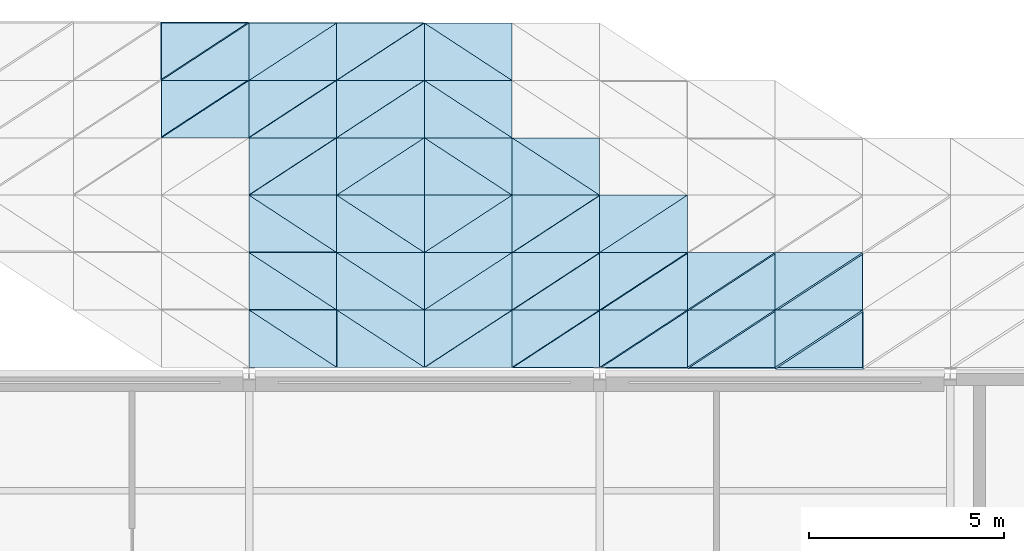
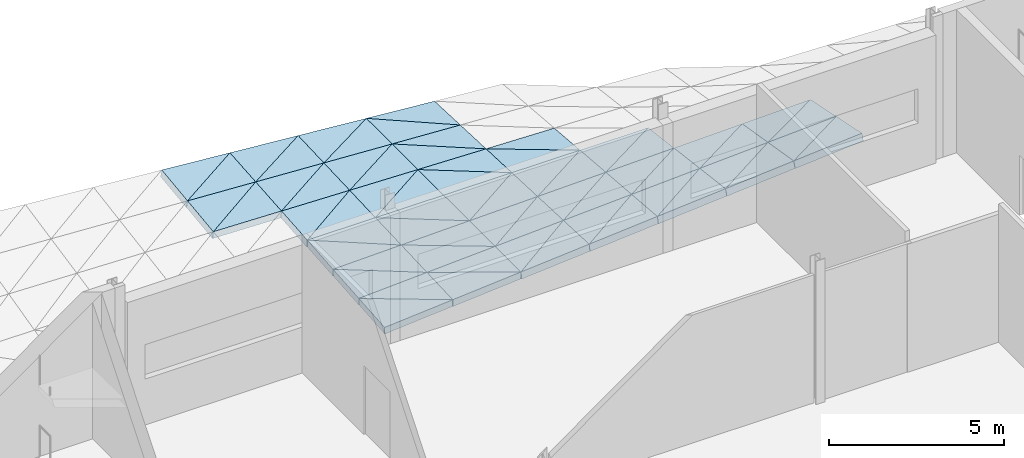
# One storey, part 72 of 112: 62 slabs.
"""IFC4 building model written with IfcOpenShell, lengths in metres."""

from ifc_helpers import new_model, si_unit, direction, frame, origin, place, context, subcontext, project, spatial, polyline, outline, extrude, material, layer, layer_set, type_object, element, save


model = new_model("IFC4")

# Units and contexts
model_context = context("Model", 3, precision=1e-05, world=origin(), true_north=direction((0.0, 1.0)))
body_context = subcontext(model_context, "Body", "Model", "MODEL_VIEW")
ifc_project = project(units=[si_unit("LENGTHUNIT", "METRE"), si_unit("AREAUNIT", "SQUARE_METRE"), si_unit("VOLUMEUNIT", "CUBIC_METRE"), si_unit("PLANEANGLEUNIT", "RADIAN"), si_unit("MASSUNIT", "GRAM", prefix="KILO")], contexts=[model_context])

# Site, building, storey
site_placement = place(None, origin())
site = spatial("IfcSite", under=ifc_project, at=site_placement, CompositionType="ELEMENT")
building_placement = place(site_placement, origin())
building = spatial("IfcBuilding", under=site, at=building_placement, Name="Shorebreak Coast Museum", CompositionType="ELEMENT")
storey_placement = place(building_placement, frame((0.0, 0.0, 6.0)))
storey = spatial("IfcBuildingStorey", under=building, at=storey_placement, Name="L01", CompositionType="ELEMENT", Elevation=6.0)

# Slabs
ifc_material = material(Name="Concrete N50 (50 MPa)", Category="concrete")
ifc_layer = layer(ifc_material, 0.25)
ifc_layer_set = layer_set([ifc_layer], Name="Concrete N50 (50 MPa)")
slab_type = type_object("IfcSlabType", Name="Canopy facet slab 250", PredefinedType="ROOF", material=ifc_layer_set)
slab_1_placement = place(storey_placement, frame((81.0, 117.16357421875, 0.138671875), z_axis=(-0.079762470403, -0.082835404061, 0.993366117879), x_axis=(0.996791849979, 0.0, 0.080037540037)))
element("IfcSlab", 1, at=slab_1_placement, inside=storey, type_object=slab_type, Name="Canopy facet CAN-N 1.7a", PredefinedType="ROOF", context=body_context, shape_type="SweptSolid", body=[
    extrude(outline(polyline([(0.0, 0.0), (2.257241569588644, 0.0), (0.009828828769239373, 1.4777348667332257), (0.0, 0.0)])), origin(), (0.0, 0.0, -1.0), 0.25),
])
slab_2_placement = place(storey_placement, frame((83.25, 117.16357421875, 0.3193359375), z_axis=(-0.052831719024, -0.041517364274, 0.997740005176), x_axis=(0.0, 0.999135368129, 0.041575427288)))
element("IfcSlab", 2, at=slab_2_placement, inside=storey, type_object=slab_type, Name="Canopy facet CAN-N 1.7b", PredefinedType="ROOF", context=body_context, shape_type="SweptSolid", body=[
    extrude(outline(polyline([(0.0, 0.0), (1.4739306574223758, 0.0), (1.468977335030659, 2.2531466781198852), (0.0, 0.0)])), origin(), (0.0, 0.0, -1.0), 0.25),
])
slab_3_placement = place(storey_placement, frame((83.25, 117.16357421875, 0.3193359375), z_axis=(-0.079968779773, -0.041442276523, 0.995935505933), x_axis=(0.996791849979, 0.0, 0.080037540037)))
element("IfcSlab", 3, at=slab_3_placement, inside=storey, type_object=slab_type, Name="Canopy facet CAN-N 1.8a", PredefinedType="ROOF", context=body_context, shape_type="SweptSolid", body=[
    extrude(outline(polyline([(0.0, 0.0), (2.257241569588644, 0.0), (0.004904644177095592, 1.473922497065247), (0.0, 0.0)])), origin(), (0.0, 0.0, -1.0), 0.25),
])
slab_4_placement = place(storey_placement, frame((85.5, 117.16357421875, 0.5), z_axis=(-0.052985362019, 0.0, 0.998595289099), x_axis=(0.0, 1.0, 0.0)))
element("IfcSlab", 4, at=slab_4_placement, inside=storey, type_object=slab_type, Name="Canopy facet CAN-N 1.8b", PredefinedType="ROOF", context=body_context, shape_type="SweptSolid", body=[
    extrude(outline(polyline([(0.0, 0.0), (1.47265625, 0.0), (1.47265625, 2.253165045500071), (0.0, 0.0)])), origin(), (0.0, 0.0, -1.0), 0.25),
])
slab_5_placement = place(storey_placement, frame((85.5, 117.16357421875, 0.5), z_axis=(-0.079968779773, 0.041442276523, 0.995935505933), x_axis=(0.996791849979, 0.0, 0.080037540037)))
element("IfcSlab", 5, at=slab_5_placement, inside=storey, type_object=slab_type, Name="Canopy facet CAN-N 1.9a", PredefinedType="ROOF", context=body_context, shape_type="SweptSolid", body=[
    extrude(outline(polyline([(0.0, 0.0), (2.257241569588644, 0.0), (2.2523369254115484, 1.473922497065247), (0.0, 0.0)])), origin(), (0.0, 0.0, -1.0), 0.25),
])
slab_6_placement = place(storey_placement, frame((85.5, 117.16357421875, 0.5), z_axis=(-0.052985362019, 0.0, 0.998595289099), x_axis=(0.835890255094, 0.547101781546, 0.044352249863)))
element("IfcSlab", 6, at=slab_6_placement, inside=storey, type_object=slab_type, Name="Canopy facet CAN-N 1.9b", PredefinedType="ROOF", context=body_context, shape_type="SweptSolid", body=[
    extrude(outline(polyline([(0.0, 0.0), (2.691740914896417, -2.0816681711721685e-17), (0.8056928579798026, 1.2327106105101882), (0.0, 0.0)])), origin(), (0.0, 0.0, -1.0), 0.25),
])
slab_7_placement = place(storey_placement, frame((87.75, 117.16357421875, 0.6806640625), z_axis=(-0.079762470403, 0.082835404061, 0.993366117879), x_axis=(0.996791849979, 0.0, 0.080037540037)))
element("IfcSlab", 7, at=slab_7_placement, inside=storey, type_object=slab_type, Name="Canopy facet CAN-N 1.10a", PredefinedType="ROOF", context=body_context, shape_type="SweptSolid", body=[
    extrude(outline(polyline([(0.0, 0.0), (2.257241569588644, 0.0), (2.2474127408194042, 1.477734866733226), (0.0, 0.0)])), origin(), (0.0, 0.0, -1.0), 0.25),
])
slab_8_placement = place(storey_placement, frame((87.75, 117.16357421875, 0.6806640625), z_axis=(-0.052831719024, 0.041517364274, 0.997740005176), x_axis=(0.836519994086, 0.547513954463, 0.02151207016)))
element("IfcSlab", 8, at=slab_8_placement, inside=storey, type_object=slab_type, Name="Canopy facet CAN-N 1.10b", PredefinedType="ROOF", context=body_context, shape_type="SweptSolid", body=[
    extrude(outline(polyline([(0.0, 0.0), (2.689714550645933, 1.3010426069826053e-18), (0.804981602467944, 1.234696805931601), (0.0, 0.0)])), origin(), (0.0, 0.0, -1.0), 0.25),
])
slab_9_placement = place(storey_placement, frame((90.0, 117.16357421875, 0.861328125), z_axis=(-0.079423394127, 0.123642905452, 0.989143243619), x_axis=(0.996791849979, 0.0, 0.080037540037)))
element("IfcSlab", 9, at=slab_9_placement, inside=storey, type_object=slab_type, Name="Canopy facet CAN-N 1.11a", PredefinedType="ROOF", context=body_context, shape_type="SweptSolid", body=[
    extrude(outline(polyline([(0.0, 0.0), (2.257241569588644, 3.469446951953614e-18), (2.2425080966423088, 1.484043648168115), (0.0, 0.0)])), origin(), (0.0, 0.0, -1.0), 0.25),
])
slab_10_placement = place(storey_placement, frame((90.0, 117.16357421875, 0.861328125), z_axis=(-0.05280260806, 0.082984242339, 0.995150993621), x_axis=(0.836712943238, 0.547640242362, -0.001271048308)))
element("IfcSlab", 10, at=slab_10_placement, inside=storey, type_object=slab_type, Name="Canopy facet CAN-N 1.11b", PredefinedType="ROOF", context=body_context, shape_type="SweptSolid", body=[
    extrude(outline(polyline([(0.0, 0.0), (2.6890942923546657, -9.009720053354542e-17), (0.8066419138739829, 1.2381945586279068), (0.0, 0.0)])), origin(), (0.0, 0.0, -1.0), 0.25),
])
slab_11_placement = place(storey_placement, frame((92.25, 117.16357421875, 1.0419921875), z_axis=(-0.078956081469, 0.163832878488, 0.98332330651), x_axis=(0.996791849979, 0.0, 0.080037540037)))
element("IfcSlab", 11, at=slab_11_placement, inside=storey, type_object=slab_type, Name="Canopy facet CAN-N 1.12a", PredefinedType="ROOF", context=body_context, shape_type="SweptSolid", body=[
    extrude(outline(polyline([(0.0, 0.0), (2.257241569588644, 3.469446951953614e-18), (2.2376034524652133, 1.4928271689513066), (0.0, 0.0)])), origin(), (0.0, 0.0, -1.0), 0.25),
])
slab_12_placement = place(storey_placement, frame((92.25, 117.16357421875, 1.0419921875), z_axis=(-0.052577337981, 0.123863176594, 0.990905412749), x_axis=(0.836471561453, 0.547482254632, -0.024052187911)))
element("IfcSlab", 12, at=slab_12_placement, inside=storey, type_object=slab_type, Name="Canopy facet CAN-N 1.12b", PredefinedType="ROOF", context=body_context, shape_type="SweptSolid", body=[
    extrude(outline(polyline([(0.0, 0.0), (2.6898702881074796, 1.8388068845354155e-16), (0.810680739654128, 1.2431409265433366), (0.0, 0.0)])), origin(), (0.0, 0.0, -1.0), 0.25),
])
slab_13_placement = place(storey_placement, frame((94.5, 117.16357421875, 1.22265625), z_axis=(-0.078367344711, 0.203223620816, 0.975991147104), x_axis=(0.996791849979, 0.0, 0.080037540037)))
element("IfcSlab", 13, at=slab_13_placement, inside=storey, type_object=slab_type, Name="Canopy facet CAN-N 1.13a", PredefinedType="ROOF", context=body_context, shape_type="SweptSolid", body=[
    extrude(outline(polyline([(0.0, 0.0), (2.257241569588644, 6.938893903907228e-18), (2.232698808288118, 1.504042072693513), (0.0, 0.0)])), origin(), (0.0, 0.0, -1.0), 0.25),
])
slab_14_placement = place(storey_placement, frame((94.5, 117.16357421875, 1.22265625), z_axis=(-0.052266889115, 0.164121314927, 0.985054499146), x_axis=(0.835796974784, 0.547040728287, -0.046795924369)))
element("IfcSlab", 14, at=slab_14_placement, inside=storey, type_object=slab_type, Name="Canopy facet CAN-N 1.13b", PredefinedType="ROOF", context=body_context, shape_type="SweptSolid", body=[
    extrude(outline(polyline([(0.0, 0.0), (2.6920413304708712, -2.6020852139652106e-16), (0.8170848576707933, 1.2495162853554274), (0.0, 0.0)])), origin(), (0.0, 0.0, -1.0), 0.25),
])
slab_15_placement = place(storey_placement, frame((81.0, 118.63623046875, 0.261474609375), z_axis=(-0.05269570805, -0.082807234385, 0.995171404476), x_axis=(0.998601016426, 0.0, 0.052877310766)))
element("IfcSlab", 15, at=slab_15_placement, inside=storey, type_object=slab_type, Name="Canopy facet CAN-N 2.7a", PredefinedType="ROOF", context=body_context, shape_type="SweptSolid", body=[
    extrude(outline(polyline([(0.0, 0.0), (2.253152122810484, 0.0), (0.006480568848712513, 1.4779763772918202), (0.0, 0.0)])), origin(), (0.0, 0.0, -1.0), 0.25),
])
slab_16_placement = place(storey_placement, frame((83.25, 118.63623046875, 0.380615234375), z_axis=(-0.02568544112, -0.041554833343, 0.998806014169), x_axis=(0.0, 0.999135654368, 0.041568547861)))
element("IfcSlab", 16, at=slab_16_placement, inside=storey, type_object=slab_type, Name="Canopy facet CAN-N 2.7b", PredefinedType="ROOF", context=body_context, shape_type="SweptSolid", body=[
    extrude(outline(polyline([(0.0, 0.0), (1.4741745869905545, 2.168404344971009e-19), (1.471769375603081, 2.2507425770733023), (0.0, 0.0)])), origin(), (0.0, 0.0, -1.0), 0.25),
])
slab_17_placement = place(storey_placement, frame((83.25, 118.63623046875, 0.380615234375), z_axis=(-0.052939692761, -0.041510256754, 0.997734577688), x_axis=(0.998595289099, 0.0, 0.052985362019)))
element("IfcSlab", 17, at=slab_17_placement, inside=storey, type_object=slab_type, Name="Canopy facet CAN-N 2.8a", PredefinedType="ROOF", context=body_context, shape_type="SweptSolid", body=[
    extrude(outline(polyline([(0.0, 0.0), (2.253165045500071, -8.673617379884035e-19), (0.003246905729208571, 1.4741710112914166), (0.0, 0.0)])), origin(), (0.0, 0.0, -1.0), 0.25),
])
slab_18_placement = place(storey_placement, frame((85.5, 118.63623046875, 0.5), z_axis=(-0.025816045688, 0.0, 0.999666710352), x_axis=(0.0, 1.0, 0.0)))
element("IfcSlab", 18, at=slab_18_placement, inside=storey, type_object=slab_type, Name="Canopy facet CAN-N 2.8b", PredefinedType="ROOF", context=body_context, shape_type="SweptSolid", body=[
    extrude(outline(polyline([(0.0, 0.0), (1.472900390625, 0.0), (1.472900390625, 2.2507501517268986), (0.0, 0.0)])), origin(), (0.0, 0.0, -1.0), 0.25),
])
slab_19_placement = place(storey_placement, frame((85.5, 118.63623046875, 0.5), z_axis=(-0.052939692761, 0.041510256754, 0.997734577688), x_axis=(0.998595289099, 0.0, 0.052985362019)))
element("IfcSlab", 19, at=slab_19_placement, inside=storey, type_object=slab_type, Name="Canopy facet CAN-N 2.9a", PredefinedType="ROOF", context=body_context, shape_type="SweptSolid", body=[
    extrude(outline(polyline([(0.0, 0.0), (2.253165045500071, 8.673617379884035e-19), (2.2499181397708625, 1.4741710112914166), (0.0, 0.0)])), origin(), (0.0, 0.0, -1.0), 0.25),
])
slab_20_placement = place(storey_placement, frame((85.5, 118.63623046875, 0.5), z_axis=(-0.025816045688, 0.0, 0.999666710352), x_axis=(0.836476784716, 0.54757643687, 0.021601722522)))
element("IfcSlab", 20, at=slab_20_placement, inside=storey, type_object=slab_type, Name="Canopy facet CAN-N 2.9b", PredefinedType="ROOF", context=body_context, shape_type="SweptSolid", body=[
    extrude(outline(polyline([(0.0, 0.0), (2.6898534915868435, -2.452465314162211e-16), (0.806525547762621, 1.2324577483668484), (0.0, 0.0)])), origin(), (0.0, 0.0, -1.0), 0.25),
])
slab_21_placement = place(storey_placement, frame((87.75, 118.63623046875, 0.619384765625), z_axis=(-0.05269570805, 0.082807234385, 0.995171404476), x_axis=(0.998601016426, 0.0, 0.052877310766)))
element("IfcSlab", 21, at=slab_21_placement, inside=storey, type_object=slab_type, Name="Canopy facet CAN-N 2.10a", PredefinedType="ROOF", context=body_context, shape_type="SweptSolid", body=[
    extrude(outline(polyline([(0.0, 0.0), (2.253152122810484, 0.0), (2.2466715539617717, 1.47797637729182), (0.0, 0.0)])), origin(), (0.0, 0.0, -1.0), 0.25),
])
slab_22_placement = place(storey_placement, frame((87.75, 118.63623046875, 0.619384765625), z_axis=(-0.02568544112, 0.041554833343, 0.998806014169), x_axis=(0.836671341692, 0.547703798223, -0.001270985111)))
element("IfcSlab", 22, at=slab_22_placement, inside=storey, type_object=slab_type, Name="Canopy facet CAN-N 2.10b", PredefinedType="ROOF", context=body_context, shape_type="SweptSolid", body=[
    extrude(outline(polyline([(0.0, 0.0), (2.689228001344188, -3.870059654687008e-16), (0.8067910234240235, 1.2338066937130747), (0.0, 0.0)])), origin(), (0.0, 0.0, -1.0), 0.25),
])
slab_23_placement = place(storey_placement, frame((90.0, 118.63623046875, 0.738525390625), z_axis=(-0.052577471676, 0.123842960561, 0.99090793245), x_axis=(0.998595289099, 0.0, 0.052985362019)))
element("IfcSlab", 23, at=slab_23_placement, inside=storey, type_object=slab_type, Name="Canopy facet CAN-N 2.11a", PredefinedType="ROOF", context=body_context, shape_type="SweptSolid", body=[
    extrude(outline(polyline([(0.0, 0.0), (2.253165045500071, 1.734723475976807e-18), (2.243411392433046, 1.4843269926752163), (0.0, 0.0)])), origin(), (0.0, 0.0, -1.0), 0.25),
])
slab_24_placement = place(storey_placement, frame((90.0, 118.63623046875, 0.738525390625), z_axis=(-0.02561916791, 0.082895228307, 0.996228909117), x_axis=(0.8364299959, 0.547545807863, -0.024050992721)))
element("IfcSlab", 24, at=slab_24_placement, inside=storey, type_object=slab_type, Name="Canopy facet CAN-N 2.11b", PredefinedType="ROOF", context=body_context, shape_type="SweptSolid", body=[
    extrude(outline(polyline([(0.0, 0.0), (2.690003958525457, -6.505213034913027e-17), (0.8094280901323595, 1.2366415553869827), (0.0, 0.0)])), origin(), (0.0, 0.0, -1.0), 0.25),
])
slab_25_placement = place(storey_placement, frame((92.25, 118.63623046875, 0.85791015625), z_axis=(-0.052265721414, 0.164253719025, 0.985032491927), x_axis=(0.998595289099, 0.0, 0.052985362019)))
element("IfcSlab", 25, at=slab_25_placement, inside=storey, type_object=slab_type, Name="Canopy facet CAN-N 2.12a", PredefinedType="ROOF", context=body_context, shape_type="SweptSolid", body=[
    extrude(outline(polyline([(0.0, 0.0), (2.253165045500071, 0.0), (2.240151550824438, 1.4931805838342236), (0.0, 0.0)])), origin(), (0.0, 0.0, -1.0), 0.25),
])
slab_26_placement = place(storey_placement, frame((92.25, 118.63623046875, 0.85791015625), z_axis=(-0.025509323813, 0.123974135162, 0.991957503228), x_axis=(0.835751959773, 0.547101950229, -0.046884088889)))
element("IfcSlab", 26, at=slab_26_placement, inside=storey, type_object=slab_type, Name="Canopy facet CAN-N 2.12b", PredefinedType="ROOF", context=body_context, shape_type="SweptSolid", body=[
    extrude(outline(polyline([(0.0, 0.0), (2.692186328358542, -3.157196726277789e-16), (0.8144571945201239, 1.240959803227652), (0.0, 0.0)])), origin(), (0.0, 0.0, -1.0), 0.25),
])
slab_27_placement = place(storey_placement, frame((94.5, 118.63623046875, 0.977294921875), z_axis=(-0.051874447025, 0.203699066876, 0.977658289946), x_axis=(0.998595289099, 0.0, 0.052985362019)))
element("IfcSlab", 27, at=slab_27_placement, inside=storey, type_object=slab_type, Name="Canopy facet CAN-N 2.13a", PredefinedType="ROOF", context=body_context, shape_type="SweptSolid", body=[
    extrude(outline(polyline([(0.0, 0.0), (2.253165045500071, 3.469446951953614e-18), (2.2369046450952297, 1.504443225733249), (0.0, 0.0)])), origin(), (0.0, 0.0, -1.0), 0.25),
])
slab_28_placement = place(storey_placement, frame((94.5, 118.63623046875, 0.977294921875), z_axis=(-0.025464677856, 0.164425189432, 0.986060803025), x_axis=(0.834645765964, 0.546377810988, -0.06955381383)))
element("IfcSlab", 28, at=slab_28_placement, inside=storey, type_object=slab_type, Name="Canopy facet CAN-N 2.13b", PredefinedType="ROOF", context=body_context, shape_type="SweptSolid", body=[
    extrude(outline(polyline([(0.0, 0.0), (2.695754404745224, 2.5673907444456745e-16), (0.8218428882816898, 1.2467284684180413), (0.0, 0.0)])), origin(), (0.0, 0.0, -1.0), 0.25),
])
slab_29_placement = place(storey_placement, frame((81.0, 120.109130859375, 0.384033203125), z_axis=(-0.025618787578, -0.08307289491, 0.996214119481), x_axis=(0.999669503836, 0.0, 0.025707646746)))
element("IfcSlab", 29, at=slab_29_placement, inside=storey, type_object=slab_type, Name="Canopy facet CAN-N 3.7a", PredefinedType="ROOF", context=body_context, shape_type="SweptSolid", body=[
    extrude(outline(polyline([(0.0, 0.0), (2.2507438622136435, 0.0), (0.003156969314727215, 1.4777641813830733), (0.0, 0.0)])), origin(), (0.0, 0.0, -1.0), 0.25),
])
slab_30_placement = place(storey_placement, frame((83.25, 120.109130859375, 0.44189453125), z_axis=(0.001517771541, -0.041740730342, 0.999127323118), x_axis=(0.0, 0.99912847393, 0.04174077842)))
element("IfcSlab", 30, at=slab_30_placement, inside=storey, type_object=slab_type, Name="Canopy facet CAN-N 3.7b", PredefinedType="ROOF", context=body_context, shape_type="SweptSolid", body=[
    extrude(outline(polyline([(0.0, 0.0), (1.4739408278577126, -1.3552527156068805e-20), (1.4740834965339533, 2.2500025915887356), (0.0, 0.0)])), origin(), (0.0, 0.0, -1.0), 0.25),
])
slab_31_placement = place(storey_placement, frame((83.25, 120.109130859375, 0.44189453125), z_axis=(-0.025793561307, -0.041726890877, 0.998796054644), x_axis=(0.999666710352, 0.0, 0.025816045688)))
element("IfcSlab", 31, at=slab_31_placement, inside=storey, type_object=slab_type, Name="Canopy facet CAN-N 3.8a", PredefinedType="ROOF", context=body_context, shape_type="SweptSolid", body=[
    extrude(outline(polyline([(0.0, 0.0), (2.2507501517268986, -4.336808689942018e-19), (0.001588291873403189, 1.4739399721002224), (0.0, 0.0)])), origin(), (0.0, 0.0, -1.0), 0.25),
])
slab_32_placement = place(storey_placement, frame((85.5, 120.109130859375, 0.5), z_axis=(0.001519095469, 0.0, 0.999998846174), x_axis=(0.0, 1.0, 0.0)))
element("IfcSlab", 32, at=slab_32_placement, inside=storey, type_object=slab_type, Name="Canopy facet CAN-N 3.8b", PredefinedType="ROOF", context=body_context, shape_type="SweptSolid", body=[
    extrude(outline(polyline([(0.0, 0.0), (1.47265625, 0.0), (1.47265625, 2.2500025961119197), (0.0, 0.0)])), origin(), (0.0, 0.0, -1.0), 0.25),
])
slab_33_placement = place(storey_placement, frame((85.5, 120.109130859375, 0.5), z_axis=(-0.025793561307, 0.041726890877, 0.998796054644), x_axis=(0.999666710352, 0.0, 0.025816045688)))
element("IfcSlab", 33, at=slab_33_placement, inside=storey, type_object=slab_type, Name="Canopy facet CAN-N 3.9a", PredefinedType="ROOF", context=body_context, shape_type="SweptSolid", body=[
    extrude(outline(polyline([(0.0, 0.0), (2.2507501517268986, 4.336808689942018e-19), (2.2491618598534955, 1.4739399721002222), (0.0, 0.0)])), origin(), (0.0, 0.0, -1.0), 0.25),
])
slab_34_placement = place(storey_placement, frame((85.5, 120.109130859375, 0.5), z_axis=(0.001519095469, 0.0, 0.999998846174), x_axis=(0.836712943238, 0.547640242362, -0.001271048308)))
element("IfcSlab", 34, at=slab_34_placement, inside=storey, type_object=slab_type, Name="Canopy facet CAN-N 3.9b", PredefinedType="ROOF", context=body_context, shape_type="SweptSolid", body=[
    extrude(outline(polyline([(0.0, 0.0), (2.6890942923546657, -1.3334119710619284e-16), (0.8064858256662537, 1.2321919670503796), (0.0, 0.0)])), origin(), (0.0, 0.0, -1.0), 0.25),
])
slab_35_placement = place(storey_placement, frame((87.75, 120.109130859375, 0.55810546875), z_axis=(-0.025618787578, 0.08307289491, 0.996214119481), x_axis=(0.999669503836, 0.0, 0.025707646746)))
element("IfcSlab", 35, at=slab_35_placement, inside=storey, type_object=slab_type, Name="Canopy facet CAN-N 3.10a", PredefinedType="ROOF", context=body_context, shape_type="SweptSolid", body=[
    extrude(outline(polyline([(0.0, 0.0), (2.2507438622136435, 0.0), (2.2475868928989167, 1.4777641813830733), (0.0, 0.0)])), origin(), (0.0, 0.0, -1.0), 0.25),
])
slab_36_placement = place(storey_placement, frame((87.75, 120.109130859375, 0.55810546875), z_axis=(0.001517771541, 0.041740730342, 0.999127323118), x_axis=(0.836469731956, 0.547481057201, -0.024142898079)))
element("IfcSlab", 36, at=slab_36_placement, inside=storey, type_object=slab_type, Name="Canopy facet CAN-N 3.10b", PredefinedType="ROOF", context=body_context, shape_type="SweptSolid", body=[
    extrude(outline(polyline([(0.0, 0.0), (2.6898761712967, 8.543513119185775e-17), (0.8077367547240122, 1.232908309280865), (0.0, 0.0)])), origin(), (0.0, 0.0, -1.0), 0.25),
])
slab_37_placement = place(storey_placement, frame((90.0, 120.109130859375, 0.615966796875), z_axis=(-0.02550925881, 0.123994371939, 0.991954975512), x_axis=(0.999669503836, 0.0, 0.025707646746)))
element("IfcSlab", 37, at=slab_37_placement, inside=storey, type_object=slab_type, Name="Canopy facet CAN-N 3.11a", PredefinedType="ROOF", context=body_context, shape_type="SweptSolid", body=[
    extrude(outline(polyline([(0.0, 0.0), (2.2507438622136435, 0.0), (2.2460115463820247, 1.484109237920194), (0.0, 0.0)])), origin(), (0.0, 0.0, -1.0), 0.25),
])
slab_38_placement = place(storey_placement, frame((90.0, 120.109130859375, 0.615966796875), z_axis=(0.001513841233, 0.083100074412, 0.996540057357), x_axis=(0.83579342432, 0.54703840446, -0.046886414971)))
element("IfcSlab", 38, at=slab_38_placement, inside=storey, type_object=slab_type, Name="Canopy facet CAN-N 3.11b", PredefinedType="ROOF", context=body_context, shape_type="SweptSolid", body=[
    extrude(outline(polyline([(0.0, 0.0), (2.6920527663033345, 6.938893903907228e-18), (0.8113573052811536, 1.2351098191662737), (0.0, 0.0)])), origin(), (0.0, 0.0, -1.0), 0.25),
])
slab_39_placement = place(storey_placement, frame((81.0, 121.581787109375, 0.5068359375), z_axis=(0.001517782014, -0.0415753794, 0.999134217293), x_axis=(0.999998846174, 0.0, -0.001519095469)))
element("IfcSlab", 39, at=slab_39_placement, inside=storey, type_object=slab_type, Name="Canopy facet CAN-N 4.7a", PredefinedType="ROOF", context=body_context, shape_type="SweptSolid", body=[
    extrude(outline(polyline([(0.0, 0.0), (2.2500025961119197, 2.710505431213761e-20), (2.2499095070096655, 1.47393065448276), (0.0, 0.0)])), origin(), (0.0, 0.0, -1.0), 0.25),
])
slab_40_placement = place(storey_placement, frame((81.0, 121.581787109375, 0.5068359375), z_axis=(0.02864352022, -0.082902068551, 0.99614597112), x_axis=(0.836519994086, 0.547513954463, 0.02151207016)))
element("IfcSlab", 40, at=slab_40_placement, inside=storey, type_object=slab_type, Name="Canopy facet CAN-N 4.7b", PredefinedType="ROOF", context=body_context, shape_type="SweptSolid", body=[
    extrude(outline(polyline([(0.0, 0.0), (2.689714550645933, 2.8622937353617317e-16), (0.8089363360692128, 1.2366725693379625), (0.0, 0.0)])), origin(), (0.0, 0.0, -1.0), 0.25),
])
slab_41_placement = place(storey_placement, frame((83.25, 121.581787109375, 0.50341796875), z_axis=(0.001519095469, 0.0, 0.999998846174), x_axis=(0.999998846174, 0.0, -0.001519095469)))
element("IfcSlab", 41, at=slab_41_placement, inside=storey, type_object=slab_type, Name="Canopy facet CAN-N 4.8a", PredefinedType="ROOF", context=body_context, shape_type="SweptSolid", body=[
    extrude(outline(polyline([(0.0, 0.0), (2.2500025961119197, 0.0), (2.2500025961119197, 1.47265625), (0.0, 0.0)])), origin(), (0.0, 0.0, -1.0), 0.25),
])
slab_42_placement = place(storey_placement, frame((83.25, 121.581787109375, 0.50341796875), z_axis=(0.028717629283, -0.041558280078, 0.998723288567), x_axis=(0.836712943238, 0.547640242362, -0.001271048308)))
element("IfcSlab", 42, at=slab_42_placement, inside=storey, type_object=slab_type, Name="Canopy facet CAN-N 4.8b", PredefinedType="ROOF", context=body_context, shape_type="SweptSolid", body=[
    extrude(outline(polyline([(0.0, 0.0), (2.6890942923546657, -1.8409752888803865e-16), (0.8064079367196533, 1.2337657081006543), (0.0, 0.0)])), origin(), (0.0, 0.0, -1.0), 0.25),
])
slab_43_placement = place(storey_placement, frame((85.5, 121.581787109375, 0.5), z_axis=(0.001519095469, 0.0, 0.999998846174), x_axis=(0.999998846174, 0.0, -0.001519095469)))
element("IfcSlab", 43, at=slab_43_placement, inside=storey, type_object=slab_type, Name="Canopy facet CAN-N 4.9a", PredefinedType="ROOF", context=body_context, shape_type="SweptSolid", body=[
    extrude(outline(polyline([(0.0, 0.0), (2.2500025961119197, 0.0), (0.0, 1.47265625), (0.0, 0.0)])), origin(), (0.0, 0.0, -1.0), 0.25),
])
slab_44_placement = place(storey_placement, frame((87.75, 121.581787109375, 0.49658203125), z_axis=(0.028717629283, 0.041558280078, 0.998723288567), x_axis=(0.0, 0.999135368129, -0.041575427288)))
element("IfcSlab", 44, at=slab_44_placement, inside=storey, type_object=slab_type, Name="Canopy facet CAN-N 4.9b", PredefinedType="ROOF", context=body_context, shape_type="SweptSolid", body=[
    extrude(outline(polyline([(0.0, 0.0), (1.4739306574223758, 0.0), (1.471240840959661, 2.2509283642681193), (0.0, 0.0)])), origin(), (0.0, 0.0, -1.0), 0.25),
])
slab_45_placement = place(storey_placement, frame((87.75, 121.581787109375, 0.49658203125), z_axis=(0.001517782014, 0.0415753794, 0.999134217293), x_axis=(0.999998846174, 0.0, -0.001519095469)))
element("IfcSlab", 45, at=slab_45_placement, inside=storey, type_object=slab_type, Name="Canopy facet CAN-N 4.10a", PredefinedType="ROOF", context=body_context, shape_type="SweptSolid", body=[
    extrude(outline(polyline([(0.0, 0.0), (2.2500025961119197, -2.710505431213761e-20), (9.308910225377546e-05, 1.4739306544827597), (0.0, 0.0)])), origin(), (0.0, 0.0, -1.0), 0.25),
])
slab_46_placement = place(storey_placement, frame((90.0, 121.581787109375, 0.4931640625), z_axis=(0.02864352022, 0.082902068551, 0.99614597112), x_axis=(0.0, 0.996554867351, -0.082936098045)))
element("IfcSlab", 46, at=slab_46_placement, inside=storey, type_object=slab_type, Name="Canopy facet CAN-N 4.10b", PredefinedType="ROOF", context=body_context, shape_type="SweptSolid", body=[
    extrude(outline(polyline([(0.0, 0.0), (1.4777472854199531, -4.336808689942018e-19), (1.4723815466548051, 2.2509235760076036), (0.0, 0.0)])), origin(), (0.0, 0.0, -1.0), 0.25),
])
slab_47_placement = place(storey_placement, frame((78.75, 123.054443359375, 0.6943359375), z_axis=(0.02875115866, -0.083052142503, 0.996130369229), x_axis=(0.999583728093, 0.0, -0.02885083243)))
element("IfcSlab", 47, at=slab_47_placement, inside=storey, type_object=slab_type, Name="Canopy facet CAN-N 5.6a", PredefinedType="ROOF", context=body_context, shape_type="SweptSolid", body=[
    extrude(outline(polyline([(0.0, 0.0), (2.250937001838507, -8.673617379884035e-19), (2.247394040727137, 1.4780066034019668), (0.0, 0.0)])), origin(), (0.0, 0.0, -1.0), 0.25),
])
slab_48_placement = place(storey_placement, frame((78.75, 123.054443359375, 0.6943359375), z_axis=(0.055578994017, -0.123822801377, 0.990746632234), x_axis=(0.836478421313, 0.547577508223, 0.021511001069)))
element("IfcSlab", 48, at=slab_48_placement, inside=storey, type_object=slab_type, Name="Canopy facet CAN-N 5.6b", PredefinedType="ROOF", context=body_context, shape_type="SweptSolid", body=[
    extrude(outline(polyline([(0.0, 0.0), (2.6898482288031915, 3.148523108897905e-16), (0.810486914529504, 1.243556478938069), (0.0, 0.0)])), origin(), (0.0, 0.0, -1.0), 0.25),
])
slab_49_placement = place(storey_placement, frame((81.0, 123.054443359375, 0.62939453125), z_axis=(0.028717439576, -0.041716659398, 0.998716691056), x_axis=(0.999586850138, 0.0, -0.028742460426)))
element("IfcSlab", 49, at=slab_49_placement, inside=storey, type_object=slab_type, Name="Canopy facet CAN-N 5.7a", PredefinedType="ROOF", context=body_context, shape_type="SweptSolid", body=[
    extrude(outline(polyline([(0.0, 0.0), (2.25092997140723, 0.0), (2.249161636439611, 1.474183695153537), (0.0, 0.0)])), origin(), (0.0, 0.0, -1.0), 0.25),
])
slab_50_placement = place(storey_placement, frame((81.0, 123.054443359375, 0.62939453125), z_axis=(0.055709340817, -0.082957459534, 0.994994738304), x_axis=(0.836671434784, 0.547703859164, -0.001180200592)))
element("IfcSlab", 50, at=slab_50_placement, inside=storey, type_object=slab_type, Name="Canopy facet CAN-N 5.7b", PredefinedType="ROOF", context=body_context, shape_type="SweptSolid", body=[
    extrude(outline(polyline([(0.0, 0.0), (2.6892277021271824, 2.038842185358991e-16), (0.8065682962492815, 1.2385328642223372), (0.0, 0.0)])), origin(), (0.0, 0.0, -1.0), 0.25),
])
slab_51_placement = place(storey_placement, frame((83.25, 123.054443359375, 0.564697265625), z_axis=(0.028742460426, 0.0, 0.999586850138), x_axis=(0.999586850138, 0.0, -0.028742460426)))
element("IfcSlab", 51, at=slab_51_placement, inside=storey, type_object=slab_type, Name="Canopy facet CAN-N 5.8a", PredefinedType="ROOF", context=body_context, shape_type="SweptSolid", body=[
    extrude(outline(polyline([(0.0, 0.0), (2.25092997140723, 0.0), (2.25092997140723, 1.472900390625), (0.0, 0.0)])), origin(), (0.0, 0.0, -1.0), 0.25),
])
slab_52_placement = place(storey_placement, frame((83.25, 123.054443359375, 0.564697265625), z_axis=(0.055961382694, -0.041668471996, 0.99756306171), x_axis=(0.8364299959, 0.547545807863, -0.024050992721)))
element("IfcSlab", 52, at=slab_52_placement, inside=storey, type_object=slab_type, Name="Canopy facet CAN-N 5.8b", PredefinedType="ROOF", context=body_context, shape_type="SweptSolid", body=[
    extrude(outline(polyline([(0.0, 0.0), (2.690003958525457, 3.2786273695961654e-16), (0.8050007345387643, 1.2349876563986961), (0.0, 0.0)])), origin(), (0.0, 0.0, -1.0), 0.25),
])
slab_53_placement = place(storey_placement, frame((85.5, 123.054443359375, 0.5), z_axis=(0.028742460426, 0.0, 0.999586850138), x_axis=(0.999586850138, 0.0, -0.028742460426)))
element("IfcSlab", 53, at=slab_53_placement, inside=storey, type_object=slab_type, Name="Canopy facet CAN-N 5.9a", PredefinedType="ROOF", context=body_context, shape_type="SweptSolid", body=[
    extrude(outline(polyline([(0.0, 0.0), (2.25092997140723, 0.0), (0.0, 1.472900390625), (0.0, 0.0)])), origin(), (0.0, 0.0, -1.0), 0.25),
])
slab_54_placement = place(storey_placement, frame((87.75, 123.054443359375, 0.435302734375), z_axis=(0.055961382694, 0.041668471996, 0.99756306171), x_axis=(0.0, 0.999128762448, -0.041733871728)))
element("IfcSlab", 54, at=slab_54_placement, inside=storey, type_object=slab_type, Name="Canopy facet CAN-N 5.9b", PredefinedType="ROOF", context=body_context, shape_type="SweptSolid", body=[
    extrude(outline(polyline([(0.0, 0.0), (1.4741847557430154, 8.673617379884035e-19), (1.4689170771093405, 2.2535314325429727), (0.0, 0.0)])), origin(), (0.0, 0.0, -1.0), 0.25),
])
slab_55_placement = place(storey_placement, frame((78.75, 124.52734375, 0.87841796875), z_axis=(0.055816904928, -0.082970618243, 0.994987612804), x_axis=(0.998430206264, 0.0, -0.056010027847)))
element("IfcSlab", 55, at=slab_55_placement, inside=storey, type_object=slab_type, Name="Canopy facet CAN-N 6.6a", PredefinedType="ROOF", context=body_context, shape_type="SweptSolid", body=[
    extrude(outline(polyline([(0.0, 0.0), (2.25353758919113, 0.0), (2.2466594046190904, 1.477751546374096), (0.0, 0.0)])), origin(), (0.0, 0.0, -1.0), 0.25),
])
slab_56_placement = place(storey_placement, frame((78.75, 124.52734375, 0.87841796875), z_axis=(0.082408564343, -0.123612846515, 0.988902772116), x_axis=(0.836712943238, 0.547640242362, -0.001271048308)))
element("IfcSlab", 56, at=slab_56_placement, inside=storey, type_object=slab_type, Name="Canopy facet CAN-N 6.6b", PredefinedType="ROOF", context=body_context, shape_type="SweptSolid", body=[
    extrude(outline(polyline([(0.0, 0.0), (2.6890942923546657, 3.4976362084382373e-16), (0.8062518485119241, 1.246017889785012), (0.0, 0.0)])), origin(), (0.0, 0.0, -1.0), 0.25),
])
slab_57_placement = place(storey_placement, frame((81.0, 124.52734375, 0.752197265625), z_axis=(0.055853846295, -0.041510526196, 0.997575673355), x_axis=(0.998436258871, 0.0, -0.055902030119)))
element("IfcSlab", 57, at=slab_57_placement, inside=storey, type_object=slab_type, Name="Canopy facet CAN-N 6.7a", PredefinedType="ROOF", context=body_context, shape_type="SweptSolid", body=[
    extrude(outline(polyline([(0.0, 0.0), (2.2535239280512016, 8.673617379884035e-19), (2.2500982909516187, 1.4739266765684167), (0.0, 0.0)])), origin(), (0.0, 0.0, -1.0), 0.25),
])
slab_58_placement = place(storey_placement, frame((81.0, 124.52734375, 0.752197265625), z_axis=(0.082760212841, -0.082815093618, 0.993122554089), x_axis=(0.836471561453, 0.547482254632, -0.024052187911)))
element("IfcSlab", 58, at=slab_58_placement, inside=storey, type_object=slab_type, Name="Canopy facet CAN-N 6.7b", PredefinedType="ROOF", context=body_context, shape_type="SweptSolid", body=[
    extrude(outline(polyline([(0.0, 0.0), (2.6898702881074796, -2.194425197110661e-16), (0.8032994896043809, 1.2403656203859332), (0.0, 0.0)])), origin(), (0.0, 0.0, -1.0), 0.25),
])
slab_59_placement = place(storey_placement, frame((83.25, 124.52734375, 0.626220703125), z_axis=(0.056010027847, 0.0, 0.998430206264), x_axis=(0.998430206264, 0.0, -0.056010027847)))
element("IfcSlab", 59, at=slab_59_placement, inside=storey, type_object=slab_type, Name="Canopy facet CAN-N 6.8a", PredefinedType="ROOF", context=body_context, shape_type="SweptSolid", body=[
    extrude(outline(polyline([(0.0, 0.0), (2.25353758919113, 0.0), (2.25353758919113, 1.47265625), (0.0, 0.0)])), origin(), (0.0, 0.0, -1.0), 0.25),
])
slab_60_placement = place(storey_placement, frame((83.25, 124.52734375, 0.626220703125), z_axis=(0.082974170646, -0.041432062663, 0.99569004775), x_axis=(0.83579342432, 0.54703840446, -0.046886414971)))
element("IfcSlab", 60, at=slab_60_placement, inside=storey, type_object=slab_type, Name="Canopy facet CAN-N 6.8b", PredefinedType="ROOF", context=body_context, shape_type="SweptSolid", body=[
    extrude(outline(polyline([(0.0, 0.0), (2.6920527663033345, -1.214306433183765e-16), (0.8027263587752428, 1.236164218790124), (0.0, 0.0)])), origin(), (0.0, 0.0, -1.0), 0.25),
])
slab_61_placement = place(storey_placement, frame((85.5, 124.52734375, 0.5), z_axis=(0.056010027847, 0.0, 0.998430206264), x_axis=(0.998430206264, 0.0, -0.056010027847)))
element("IfcSlab", 61, at=slab_61_placement, inside=storey, type_object=slab_type, Name="Canopy facet CAN-N 6.9a", PredefinedType="ROOF", context=body_context, shape_type="SweptSolid", body=[
    extrude(outline(polyline([(0.0, 0.0), (2.25353758919113, 0.0), (0.0, 1.47265625), (0.0, 0.0)])), origin(), (0.0, 0.0, -1.0), 0.25),
])
slab_62_placement = place(storey_placement, frame((87.75, 124.52734375, 0.373779296875), z_axis=(0.082974170646, 0.041432062663, 0.99569004775), x_axis=(0.0, 0.999135368129, -0.041575427288)))
element("IfcSlab", 62, at=slab_62_placement, inside=storey, type_object=slab_type, Name="Canopy facet CAN-N 6.9b", PredefinedType="ROOF", context=body_context, shape_type="SweptSolid", body=[
    extrude(outline(polyline([(0.0, 0.0), (1.4739306574223758, 0.0), (1.4661352648059036, 2.257785526097188), (0.0, 0.0)])), origin(), (0.0, 0.0, -1.0), 0.25),
])

save(model, "model.ifc")
